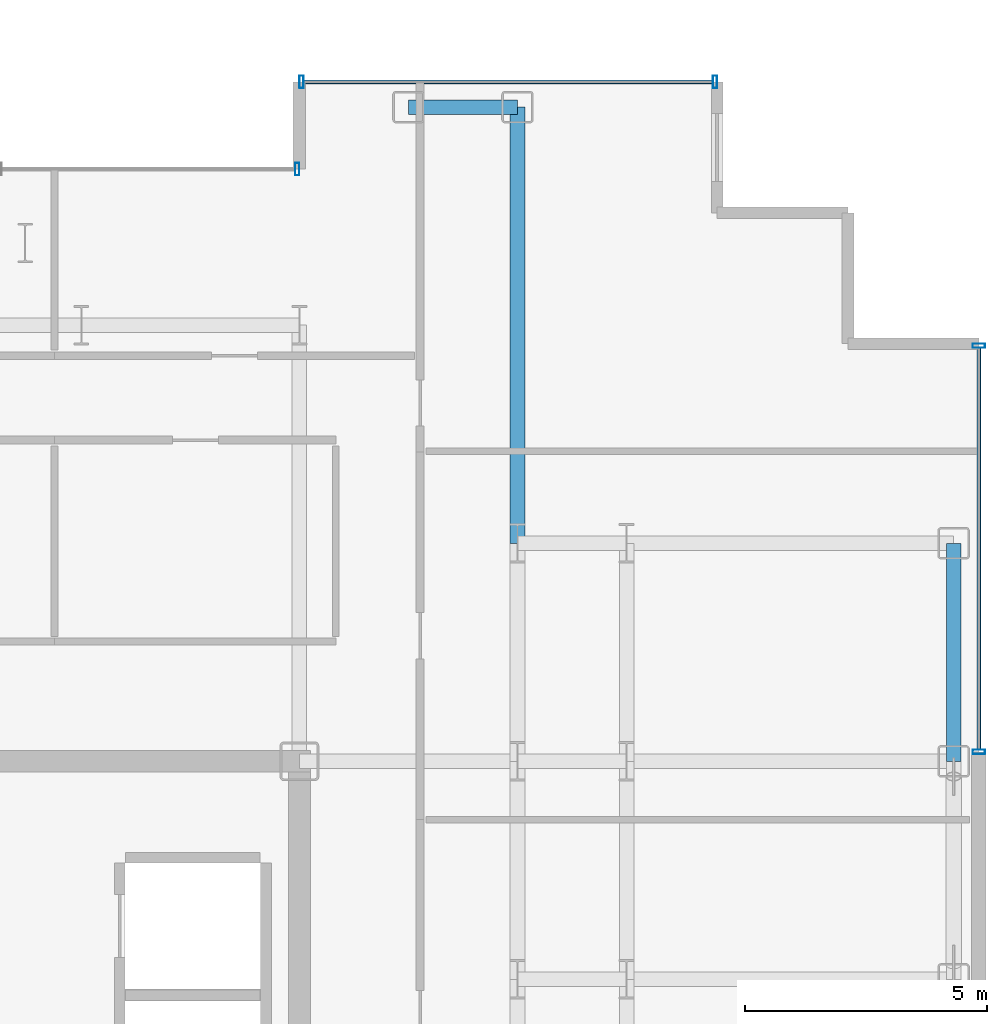
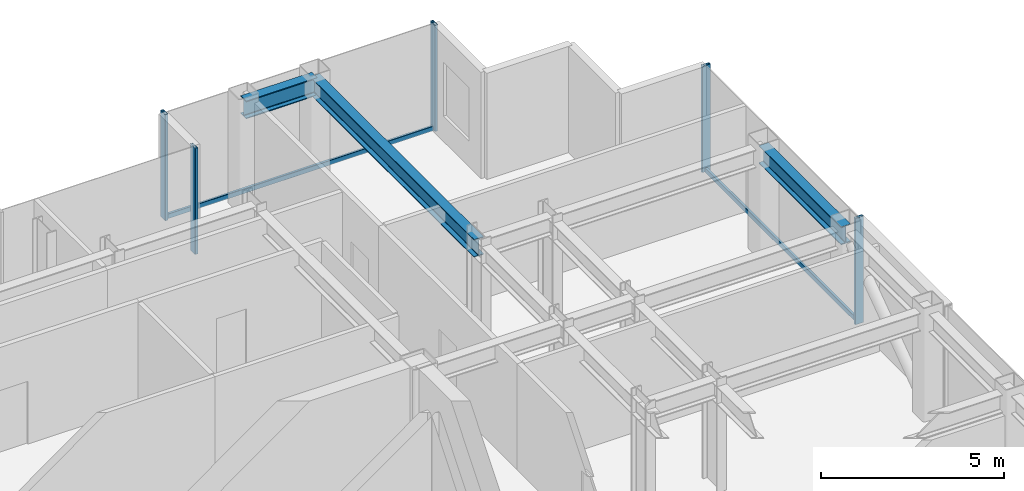
# One storey, part 13 of 21: 7 members, 3 beams, 3 elements without a shape of their own.
"""IFC4 building model written with IfcOpenShell, lengths in metres."""

from ifc_helpers import new_model, si_unit, direction, frame, origin, origin_2d, place, context, subcontext, project, spatial, hollow_rectangle, i_section, extrude, source, transform, mapped, material, layer, layer_set, material_profile, profile_set, type_object, element, aggregate, save


model = new_model("IFC4")

# Units and contexts
model_context = context("Model", 3, precision=1e-05, world=origin(), true_north=direction((0.0, 1.0)))
body_context = subcontext(model_context, "Body", "Model", "MODEL_VIEW")
ifc_project = project(units=[si_unit("LENGTHUNIT", "METRE"), si_unit("AREAUNIT", "SQUARE_METRE"), si_unit("VOLUMEUNIT", "CUBIC_METRE"), si_unit("PLANEANGLEUNIT", "RADIAN"), si_unit("MASSUNIT", "GRAM", prefix="KILO")], contexts=[model_context])

# Site, building, storey
site_placement = place(None, origin())
site = spatial("IfcSite", under=ifc_project, at=site_placement, CompositionType="ELEMENT")
building_placement = place(site_placement, origin())
building = spatial("IfcBuilding", under=site, at=building_placement, Name="Nefas-Gora Pilgrimage Tower", CompositionType="ELEMENT")
storey_placement = place(building_placement, frame((0.0, 0.0, 229.39990234375)))
storey = spatial("IfcBuildingStorey", under=building, at=storey_placement, Name="L57", CompositionType="ELEMENT", Elevation=229.39990234375)

# Beams
ifc_material_1 = material(Name="Steel S355", Category="steel")
ifc_material_profile_1 = material_profile(ifc_material_1, i_section(OverallWidth=0.300048828125, OverallDepth=0.60009765625, WebThickness=0.015380859375, FlangeThickness=0.030029296875, FilletRadius=0.027099609375, at=origin_2d()), Name="HEB 600")
ifc_profile_set_1 = profile_set([ifc_material_profile_1], Name="Steel S355")
beam_type_1 = type_object("IfcBeamType", Name="BM-SPN-HEB450", PredefinedType="SPANDREL", material=ifc_profile_set_1)
shared_shape_1 = source(origin(), body_context, "Body", "SweptSolid", [
    extrude(i_section(OverallWidth=0.300048828125, OverallDepth=0.60009765625, WebThickness=0.015380859375, FlangeThickness=0.030029296875, FilletRadius=0.027099609375, at=origin_2d()), origin(), (0.0, 0.0, 1.0), 4.5),
])
beam_1_placement = place(storey_placement, frame((24.75, 9.0, 3.25), z_axis=(0.0, 1.0, 0.0), x_axis=(-1.0, 0.0, 0.0)))
element("IfcBeam", 1, at=beam_1_placement, inside=storey, type_object=beam_type_1, Name="L57 SP-03 beam", PredefinedType="SPANDREL", context=body_context, shape_type="MappedRepresentation", body=[
    mapped(shared_shape_1, transform((0.0, 0.0, 0.0), x_axis=(1.0, 0.0, 0.0), y_axis=(0.0, 1.0, 0.0), z_axis=(0.0, 0.0, 1.0), scale=1.0)),
])
ifc_material_profile_2 = material_profile(ifc_material_1, i_section(OverallWidth=0.300048828125, OverallDepth=0.60009765625, WebThickness=0.015380859375, FlangeThickness=0.030029296875, FilletRadius=0.027099609375, at=origin_2d()), Name="HEB 600")
ifc_profile_set_2 = profile_set([ifc_material_profile_2], Name="Steel S355")
beam_type_2 = type_object("IfcBeamType", Name="BM-GIR-HEB600", PredefinedType="BEAM", material=ifc_profile_set_2)
shared_shape_2 = source(origin(), body_context, "Body", "SweptSolid", [
    extrude(i_section(OverallWidth=0.300048828125, OverallDepth=0.60009765625, WebThickness=0.015380859375, FlangeThickness=0.030029296875, FilletRadius=0.027099609375, at=origin_2d()), origin(), (0.0, 0.0, 1.0), 9.0),
])
beam_2_placement = place(storey_placement, frame((15.75, 13.5, 3.25), z_axis=(0.0, 1.0, 0.0), x_axis=(-1.0, 0.0, 0.0)))
element("IfcBeam", 2, at=beam_2_placement, inside=storey, type_object=beam_type_2, Name="L57 G-04 beam", PredefinedType="BEAM", context=body_context, shape_type="MappedRepresentation", body=[
    mapped(shared_shape_2, transform((0.0, 0.0, 0.0), x_axis=(1.0, 0.0, 0.0), y_axis=(0.0, 1.0, 0.0), z_axis=(0.0, 0.0, 1.0), scale=1.0)),
])
shared_shape_3 = source(origin(), body_context, "Body", "SweptSolid", [
    extrude(i_section(OverallWidth=0.300048828125, OverallDepth=0.60009765625, WebThickness=0.015380859375, FlangeThickness=0.030029296875, FilletRadius=0.027099609375, at=origin_2d()), origin(), (0.0, 0.0, 1.0), 2.25),
])
beam_3_placement = place(storey_placement, frame((13.5, 22.5, 3.25), z_axis=(1.0, 0.0, 0.0), x_axis=(0.0, 1.0, 0.0)))
element("IfcBeam", 3, at=beam_3_placement, inside=storey, type_object=beam_type_1, Name="L57 SP-03 beam", PredefinedType="SPANDREL", context=body_context, shape_type="MappedRepresentation", body=[
    mapped(shared_shape_3, transform((0.0, 0.0, 0.0), x_axis=(1.0, 0.0, 0.0), y_axis=(0.0, 1.0, 0.0), z_axis=(0.0, 0.0, 1.0), scale=1.0)),
])

# Curtain wall, member
ifc_material_2 = material(Name="Dark ceramic-fritted solar-control aluminium-glass curtain wall", Category="aluminium")
ifc_layer_1 = layer(ifc_material_2, 0.219970703125)
ifc_layer_set_1 = layer_set([ifc_layer_1], Name="Dark ceramic-fritted solar-control aluminium-glass curtain wall")
curtain_wall_type_1 = type_object("IfcCurtainWallType", Name="CW-SYS-5", PredefinedType="NOTDEFINED", material=ifc_layer_set_1)
curtain_wall_1_placement = place(storey_placement, origin())
curtain_wall_1 = element("IfcCurtainWall", 4, at=curtain_wall_1_placement, inside=storey, type_object=curtain_wall_type_1, Name="L57 Unitised Curtain Wall CW5", PredefinedType="NOTDEFINED")
ifc_material_3 = material(Name="Anodised architectural aluminium", Category="aluminium")
ifc_material_profile_3 = material_profile(ifc_material_3, hollow_rectangle(XDim=0.090087890625, YDim=0.260009765625, WallThickness=0.006103515625, InnerFilletRadius=0.006103515625, OuterFilletRadius=0.011962890625, at=origin_2d()), Name="ALU MULLION 90x260")
ifc_profile_set_3 = profile_set([ifc_material_profile_3], Name="Anodised architectural aluminium")
member_type_1 = type_object("IfcMemberType", Name="CWM-MUL-5", PredefinedType="MULLION", material=ifc_profile_set_3)
shared_shape_4 = source(origin(), body_context, "Body", "SweptSolid", [
    extrude(hollow_rectangle(XDim=0.090087890625, YDim=0.260009765625, WallThickness=0.006103515625, InnerFilletRadius=0.006103515625, OuterFilletRadius=0.011962890625, at=origin_2d()), origin(), (0.0, 0.0, 1.0), 3.550048828125),
])
member_1_placement = place(storey_placement, frame((11.205078125, 21.219970703125, 0.0), z_axis=(0.0, 0.0, 1.0), x_axis=(-1.0, 0.0, 0.0)))
member_1 = element("IfcMember", 5, at=member_1_placement, type_object=member_type_1, Name="CW5 Mullion 1", PredefinedType="MULLION", context=body_context, shape_type="MappedRepresentation", body=[
    mapped(shared_shape_4, transform((0.0, 0.0, 0.0), x_axis=(1.0, 0.0, 0.0), y_axis=(0.0, 1.0, 0.0), z_axis=(0.0, 0.0, 1.0), scale=1.0)),
])
aggregate(curtain_wall_1, [member_1])

# Curtain wall, members
ifc_layer_2 = layer(ifc_material_2, 0.219970703125)
ifc_layer_set_2 = layer_set([ifc_layer_2], Name="Dark ceramic-fritted solar-control aluminium-glass curtain wall")
curtain_wall_type_2 = type_object("IfcCurtainWallType", Name="CW-SYS-3", PredefinedType="NOTDEFINED", material=ifc_layer_set_2)
curtain_wall_2_placement = place(storey_placement, origin())
curtain_wall_2 = element("IfcCurtainWall", 6, at=curtain_wall_2_placement, inside=storey, type_object=curtain_wall_type_2, Name="L57 Unitised Curtain Wall CW3", PredefinedType="NOTDEFINED")
ifc_material_profile_4 = material_profile(ifc_material_3, hollow_rectangle(XDim=0.090087890625, YDim=0.260009765625, WallThickness=0.006103515625, InnerFilletRadius=0.006103515625, OuterFilletRadius=0.011962890625, at=origin_2d()), Name="ALU MULLION 90x260")
ifc_profile_set_4 = profile_set([ifc_material_profile_4], Name="Anodised architectural aluminium")
member_type_2 = type_object("IfcMemberType", Name="CWM-MUL-3", PredefinedType="MULLION", material=ifc_profile_set_4)
shared_shape_5 = source(origin(), body_context, "Body", "SweptSolid", [
    extrude(hollow_rectangle(XDim=0.090087890625, YDim=0.260009765625, WallThickness=0.006103515625, InnerFilletRadius=0.006103515625, OuterFilletRadius=0.011962890625, at=origin_2d()), origin(), (0.0, 0.0, 1.0), 3.550048828125),
])
member_2_placement = place(storey_placement, frame((25.27001953125, 9.195068359375, 0.0), z_axis=(0.0, 0.0, 1.0), x_axis=(0.0, 1.0, 0.0)))
member_2 = element("IfcMember", 7, at=member_2_placement, type_object=member_type_2, Name="CW3 Mullion 1", PredefinedType="MULLION", context=body_context, shape_type="MappedRepresentation", body=[
    mapped(shared_shape_5, transform((0.0, 0.0, 0.0), x_axis=(1.0, 0.0, 0.0), y_axis=(0.0, 1.0, 0.0), z_axis=(0.0, 0.0, 1.0), scale=1.0)),
])
member_3_placement = place(storey_placement, frame((25.27001953125, 17.574951171875, 0.0), z_axis=(0.0, 0.0, 1.0), x_axis=(0.0, 1.0, 0.0)))
member_3 = element("IfcMember", 8, at=member_3_placement, type_object=member_type_2, Name="CW3 Mullion 2", PredefinedType="MULLION", context=body_context, shape_type="MappedRepresentation", body=[
    mapped(shared_shape_5, transform((0.0, 0.0, 0.0), x_axis=(1.0, 0.0, 0.0), y_axis=(0.0, 1.0, 0.0), z_axis=(0.0, 0.0, 1.0), scale=1.0)),
])

curtain_wall_3_placement = place(storey_placement, origin())
curtain_wall_3 = element("IfcCurtainWall", 9, at=curtain_wall_3_placement, inside=storey, type_object=curtain_wall_type_2, Name="L57 Unitised Curtain Wall CW3", PredefinedType="NOTDEFINED")
member_4_placement = place(storey_placement, frame((19.824951171875, 23.02001953125, 0.0), z_axis=(0.0, 0.0, 1.0), x_axis=(-1.0, 0.0, 0.0)))
member_4 = element("IfcMember", 10, at=member_4_placement, type_object=member_type_2, Name="CW3 Mullion 1", PredefinedType="MULLION", context=body_context, shape_type="MappedRepresentation", body=[
    mapped(shared_shape_5, transform((0.0, 0.0, 0.0), x_axis=(1.0, 0.0, 0.0), y_axis=(0.0, 1.0, 0.0), z_axis=(0.0, 0.0, 1.0), scale=1.0)),
])
member_5_placement = place(storey_placement, frame((11.294921875, 23.02001953125, 0.0), z_axis=(0.0, 0.0, 1.0), x_axis=(-1.0, 0.0, 0.0)))
member_5 = element("IfcMember", 11, at=member_5_placement, type_object=member_type_2, Name="CW3 Mullion 2", PredefinedType="MULLION", context=body_context, shape_type="MappedRepresentation", body=[
    mapped(shared_shape_5, transform((0.0, 0.0, 0.0), x_axis=(1.0, 0.0, 0.0), y_axis=(0.0, 1.0, 0.0), z_axis=(0.0, 0.0, 1.0), scale=1.0)),
])
ifc_material_profile_5 = material_profile(ifc_material_3, hollow_rectangle(XDim=0.080078125, YDim=0.159912109375, WallThickness=0.00439453125, InnerFilletRadius=0.00439453125, OuterFilletRadius=0.009033203125, at=origin_2d()), Name="ALU TRANSOM 80x160")
ifc_profile_set_5 = profile_set([ifc_material_profile_5], Name="Anodised architectural aluminium")
member_type_3 = type_object("IfcMemberType", Name="CWM-TRN-3", PredefinedType="USERDEFINED", material=ifc_profile_set_5)
shared_shape_6 = source(origin(), body_context, "Body", "SweptSolid", [
    extrude(hollow_rectangle(XDim=0.080078125, YDim=0.159912109375, WallThickness=0.00439453125, InnerFilletRadius=0.00439453125, OuterFilletRadius=0.009033203125, at=origin_2d()), origin(), (0.0, 0.0, 1.0), 8.43994140625),
])
member_6_placement = place(storey_placement, frame((19.780029296875, 23.02001953125, 0.050048828125), z_axis=(-1.0, 0.0, 0.0), x_axis=(0.0, -1.0, 0.0)))
member_6 = element("IfcMember", 12, at=member_6_placement, type_object=member_type_3, Name="CW3 Spandrel Transom", ObjectType="TRANSOM", PredefinedType="USERDEFINED", context=body_context, shape_type="MappedRepresentation", body=[
    mapped(shared_shape_6, transform((0.0, 0.0, 0.0), x_axis=(1.0, 0.0, 0.0), y_axis=(0.0, 1.0, 0.0), z_axis=(0.0, 0.0, 1.0), scale=1.0)),
])
aggregate(curtain_wall_3, [member_4, member_5, member_6])

# Member
shared_shape_7 = source(origin(), body_context, "Body", "SweptSolid", [
    extrude(hollow_rectangle(XDim=0.080078125, YDim=0.159912109375, WallThickness=0.00439453125, InnerFilletRadius=0.00439453125, OuterFilletRadius=0.009033203125, at=origin_2d()), origin(), (0.0, 0.0, 1.0), 8.2900390625),
])
member_7_placement = place(storey_placement, frame((25.27001953125, 9.239990234375, 0.050048828125), z_axis=(0.0, 1.0, 0.0), x_axis=(-1.0, 0.0, 0.0)))
member_7 = element("IfcMember", 13, at=member_7_placement, type_object=member_type_3, Name="CW3 Spandrel Transom", ObjectType="TRANSOM", PredefinedType="USERDEFINED", context=body_context, shape_type="MappedRepresentation", body=[
    mapped(shared_shape_7, transform((0.0, 0.0, 0.0), x_axis=(1.0, 0.0, 0.0), y_axis=(0.0, 1.0, 0.0), z_axis=(0.0, 0.0, 1.0), scale=1.0)),
])

aggregate(curtain_wall_2, [member_2, member_3, member_7])

save(model, "model.ifc")
